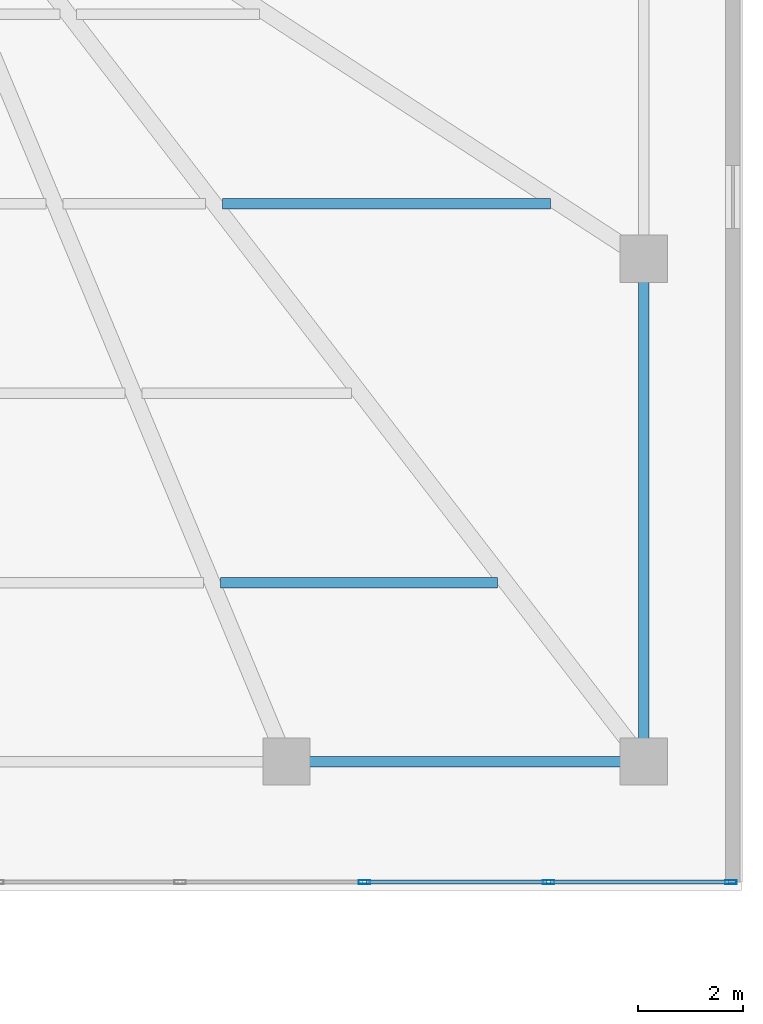
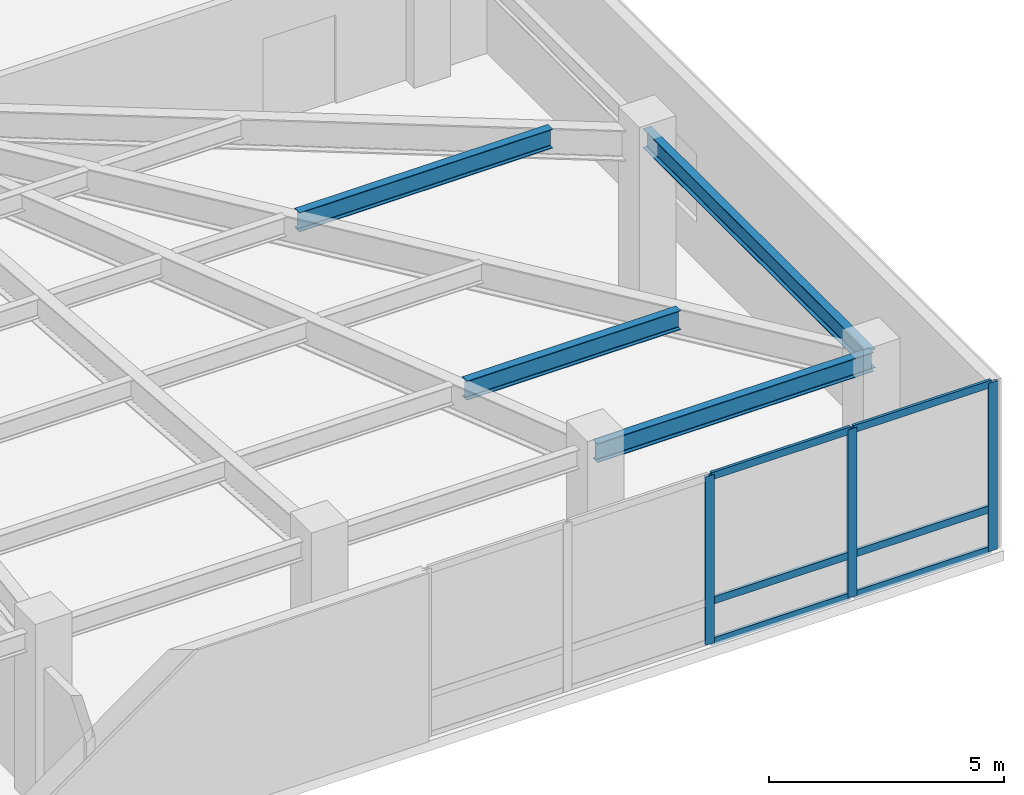
# One storey, part 6 of 15: 9 members, 4 beams, 1 element without a shape of its own.
"""IFC4 building model written with IfcOpenShell, lengths in metres."""

from ifc_helpers import new_model, si_unit, direction, frame, origin, origin_2d, place, context, subcontext, project, spatial, hollow_rectangle, i_section, extrude, material, material_profile, profile_set, type_object, element, aggregate, save


model = new_model("IFC4")

# Units and contexts
model_context = context("Model", 3, precision=1e-05, world=origin(), true_north=direction((0.0, 1.0)))
body_context = subcontext(model_context, "Body", "Model", "MODEL_VIEW")
ifc_project = project(units=[si_unit("LENGTHUNIT", "METRE"), si_unit("AREAUNIT", "SQUARE_METRE"), si_unit("VOLUMEUNIT", "CUBIC_METRE"), si_unit("PLANEANGLEUNIT", "RADIAN"), si_unit("MASSUNIT", "GRAM", prefix="KILO")], contexts=[model_context])

# Site, building, storey
site_placement = place(None, origin())
site = spatial("IfcSite", under=ifc_project, at=site_placement, CompositionType="ELEMENT")
building_placement = place(site_placement, origin())
building = spatial("IfcBuilding", under=site, at=building_placement, Name="Yelkora Congress Tower", CompositionType="ELEMENT")
storey_placement = place(building_placement, frame((0.0, 0.0, 20.39990234375)))
storey = spatial("IfcBuildingStorey", under=building, at=storey_placement, Name="L04", CompositionType="ELEMENT", Elevation=20.39990234375)

# Beams
ifc_material_1 = material(Name="Steel S355J2", Category="steel")
ifc_material_profile_1 = material_profile(ifc_material_1, i_section(OverallWidth=0.199951171875, OverallDepth=0.5, WebThickness=0.01025390625, FlangeThickness=0.01611328125, FilletRadius=0.02099609375, at=origin_2d()), Name="IPE 500")
ifc_profile_set_1 = profile_set([ifc_material_profile_1], Name="Steel S355J2")
beam_type_1 = type_object("IfcBeamType", Name="BM-JOIST-IPE500", PredefinedType="JOIST", material=ifc_profile_set_1)
beam_1_placement = place(storey_placement, frame((64.306640625, 9.449951171875, 4.130126953125), z_axis=(1.0, 0.0, 0.0), x_axis=(0.0, 1.0, 0.0)))
element("IfcBeam", 1, at=beam_1_placement, inside=storey, type_object=beam_type_1, Name="L04 Composite Floor Joist 10", PredefinedType="JOIST", context=body_context, shape_type="SweptSolid", body=[
    extrude(i_section(OverallWidth=0.199951171875, OverallDepth=0.5, WebThickness=0.01025390625, FlangeThickness=0.01611328125, FilletRadius=0.02099609375, at=origin_2d()), origin(), (0.0, 0.0, 1.0), 5.2646484375),
])
beam_2_placement = place(storey_placement, frame((64.345458984375, 16.64990234375, 4.130126953125), z_axis=(1.0, 0.0, 0.0), x_axis=(0.0, 1.0, 0.0)))
element("IfcBeam", 2, at=beam_2_placement, inside=storey, type_object=beam_type_1, Name="L04 Composite Floor Joist 31", PredefinedType="JOIST", context=body_context, shape_type="SweptSolid", body=[
    extrude(i_section(OverallWidth=0.199951171875, OverallDepth=0.5, WebThickness=0.01025390625, FlangeThickness=0.01611328125, FilletRadius=0.02099609375, at=origin_2d()), origin(), (0.0, 0.0, 1.0), 6.231201171875),
])
ifc_material_profile_2 = material_profile(ifc_material_1, i_section(OverallWidth=0.199951171875, OverallDepth=0.5, WebThickness=0.01025390625, FlangeThickness=0.01611328125, FilletRadius=0.02099609375, at=origin_2d()), Name="IPE 500")
ifc_profile_set_2 = profile_set([ifc_material_profile_2], Name="Steel S355J2")
beam_type_2 = type_object("IfcBeamType", Name="BM-SPAN-IPE500B", PredefinedType="BEAM", material=ifc_profile_set_2)
beam_3_placement = place(storey_placement, frame((65.56005859375, 6.050048828125, 4.130126953125), z_axis=(1.0, 0.0, 0.0), x_axis=(0.0, 1.0, 0.0)))
element("IfcBeam", 3, at=beam_3_placement, inside=storey, type_object=beam_type_2, Name="L04 Perimeter Beam 11", PredefinedType="BEAM", context=body_context, shape_type="SweptSolid", body=[
    extrude(i_section(OverallWidth=0.199951171875, OverallDepth=0.5, WebThickness=0.01025390625, FlangeThickness=0.01611328125, FilletRadius=0.02099609375, at=origin_2d()), origin(), (0.0, 0.0, 1.0), 6.7900390625),
])
beam_4_placement = place(storey_placement, frame((72.35009765625, 6.050048828125, 4.130126953125), z_axis=(0.0, 1.0, 0.0), x_axis=(-1.0, 0.0, 0.0)))
element("IfcBeam", 4, at=beam_4_placement, inside=storey, type_object=beam_type_2, Name="L04 Perimeter Beam 12", PredefinedType="BEAM", context=body_context, shape_type="SweptSolid", body=[
    extrude(i_section(OverallWidth=0.199951171875, OverallDepth=0.5, WebThickness=0.01025390625, FlangeThickness=0.01611328125, FilletRadius=0.02099609375, at=origin_2d()), origin(), (0.0, 0.0, 1.0), 9.550048828125),
])

# Curtain wall, members
ifc_material_2 = material(Name="Anodised aluminium and insulated glass", Category="aluminium")
curtain_wall_type = type_object("IfcCurtainWallType", Name="CW-SYS-POD", PredefinedType="NOTDEFINED", material=ifc_material_2)
curtain_wall_placement = place(storey_placement, origin())
curtain_wall = element("IfcCurtainWall", 5, at=curtain_wall_placement, inside=storey, type_object=curtain_wall_type, Name="L04 Podium Curtain Wall East", PredefinedType="NOTDEFINED")
ifc_material_3 = material(Name="Anodised aluminium 6063-T6", Category="aluminium")
ifc_material_profile_3 = material_profile(ifc_material_3, hollow_rectangle(XDim=0.074951171875, YDim=0.219970703125, WallThickness=0.0048828125, at=origin_2d()), Name="ALU 75x220x5")
ifc_profile_set_3 = profile_set([ifc_material_profile_3], Name="Anodised aluminium 6063-T6")
member_type_1 = type_object("IfcMemberType", Name="MEM-ML-POD", PredefinedType="MULLION", material=ifc_profile_set_3)
member_1_placement = place(storey_placement, frame((67.0400390625, 3.760009765625, 0.0), z_axis=(0.0, 0.0, 1.0), x_axis=(0.0, 1.0, 0.0)))
member_1 = element("IfcMember", 6, at=member_1_placement, type_object=member_type_1, Name="CW-POD mullion 3", PredefinedType="MULLION", context=body_context, shape_type="SweptSolid", body=[
    extrude(hollow_rectangle(XDim=0.074951171875, YDim=0.219970703125, WallThickness=0.0048828125, at=origin_2d()), origin(), (0.0, 0.0, 1.0), 4.380126953125),
])
member_2_placement = place(storey_placement, frame((70.5400390625, 3.760009765625, 0.0), z_axis=(0.0, 0.0, 1.0), x_axis=(0.0, 1.0, 0.0)))
member_2 = element("IfcMember", 7, at=member_2_placement, type_object=member_type_1, Name="CW-POD mullion 4", PredefinedType="MULLION", context=body_context, shape_type="SweptSolid", body=[
    extrude(hollow_rectangle(XDim=0.074951171875, YDim=0.219970703125, WallThickness=0.0048828125, at=origin_2d()), origin(), (0.0, 0.0, 1.0), 4.380126953125),
])
member_3_placement = place(storey_placement, frame((74.00244140625, 3.760009765625, 0.0), z_axis=(0.0, 0.0, 1.0), x_axis=(0.0, 1.0, 0.0)))
member_3 = element("IfcMember", 8, at=member_3_placement, type_object=member_type_1, Name="CW-POD mullion 5", PredefinedType="MULLION", context=body_context, shape_type="SweptSolid", body=[
    extrude(hollow_rectangle(XDim=0.074951171875, YDim=0.219970703125, WallThickness=0.0048828125, at=origin_2d()), origin(), (0.0, 0.0, 1.0), 4.380126953125),
])
ifc_material_profile_4 = material_profile(ifc_material_3, hollow_rectangle(XDim=0.070068359375, YDim=0.18994140625, WallThickness=0.00390625, at=origin_2d()), Name="ALU 70x190x4")
ifc_profile_set_4 = profile_set([ifc_material_profile_4], Name="Anodised aluminium 6063-T6")
member_type_2 = type_object("IfcMemberType", Name="MEM-TR-POD", PredefinedType="USERDEFINED", material=ifc_profile_set_4)
member_4_placement = place(storey_placement, frame((67.077392578125, 3.760009765625, 0.03515625), z_axis=(1.0, 0.0, 0.0), x_axis=(0.0, 1.0, 0.0)))
member_4 = element("IfcMember", 9, at=member_4_placement, type_object=member_type_2, Name="CW-POD transom 3.1", ObjectType="TRANSOM", PredefinedType="USERDEFINED", context=body_context, shape_type="SweptSolid", body=[
    extrude(hollow_rectangle(XDim=0.070068359375, YDim=0.18994140625, WallThickness=0.00390625, at=origin_2d()), origin(), (0.0, 0.0, 1.0), 3.425048828125),
])
member_5_placement = place(storey_placement, frame((67.077392578125, 3.760009765625, 1.10009765625), z_axis=(1.0, 0.0, 0.0), x_axis=(0.0, 1.0, 0.0)))
member_5 = element("IfcMember", 10, at=member_5_placement, type_object=member_type_2, Name="CW-POD transom 3.2", ObjectType="TRANSOM", PredefinedType="USERDEFINED", context=body_context, shape_type="SweptSolid", body=[
    extrude(hollow_rectangle(XDim=0.070068359375, YDim=0.18994140625, WallThickness=0.00390625, at=origin_2d()), origin(), (0.0, 0.0, 1.0), 3.425048828125),
])
member_6_placement = place(storey_placement, frame((67.077392578125, 3.760009765625, 4.34521484375), z_axis=(1.0, 0.0, 0.0), x_axis=(0.0, 1.0, 0.0)))
member_6 = element("IfcMember", 11, at=member_6_placement, type_object=member_type_2, Name="CW-POD transom 3.3", ObjectType="TRANSOM", PredefinedType="USERDEFINED", context=body_context, shape_type="SweptSolid", body=[
    extrude(hollow_rectangle(XDim=0.070068359375, YDim=0.18994140625, WallThickness=0.00390625, at=origin_2d()), origin(), (0.0, 0.0, 1.0), 3.425048828125),
])
member_7_placement = place(storey_placement, frame((70.577392578125, 3.760009765625, 0.03515625), z_axis=(1.0, 0.0, 0.0), x_axis=(0.0, 1.0, 0.0)))
member_7 = element("IfcMember", 12, at=member_7_placement, type_object=member_type_2, Name="CW-POD transom 4.1", ObjectType="TRANSOM", PredefinedType="USERDEFINED", context=body_context, shape_type="SweptSolid", body=[
    extrude(hollow_rectangle(XDim=0.070068359375, YDim=0.18994140625, WallThickness=0.00390625, at=origin_2d()), origin(), (0.0, 0.0, 1.0), 3.3876953125),
])
member_8_placement = place(storey_placement, frame((70.577392578125, 3.760009765625, 1.10009765625), z_axis=(1.0, 0.0, 0.0), x_axis=(0.0, 1.0, 0.0)))
member_8 = element("IfcMember", 13, at=member_8_placement, type_object=member_type_2, Name="CW-POD transom 4.2", ObjectType="TRANSOM", PredefinedType="USERDEFINED", context=body_context, shape_type="SweptSolid", body=[
    extrude(hollow_rectangle(XDim=0.070068359375, YDim=0.18994140625, WallThickness=0.00390625, at=origin_2d()), origin(), (0.0, 0.0, 1.0), 3.3876953125),
])
member_9_placement = place(storey_placement, frame((70.577392578125, 3.760009765625, 4.34521484375), z_axis=(1.0, 0.0, 0.0), x_axis=(0.0, 1.0, 0.0)))
member_9 = element("IfcMember", 14, at=member_9_placement, type_object=member_type_2, Name="CW-POD transom 4.3", ObjectType="TRANSOM", PredefinedType="USERDEFINED", context=body_context, shape_type="SweptSolid", body=[
    extrude(hollow_rectangle(XDim=0.070068359375, YDim=0.18994140625, WallThickness=0.00390625, at=origin_2d()), origin(), (0.0, 0.0, 1.0), 3.3876953125),
])
aggregate(curtain_wall, [member_1, member_2, member_3, member_4, member_5, member_6, member_7, member_8, member_9])

save(model, "model.ifc")
